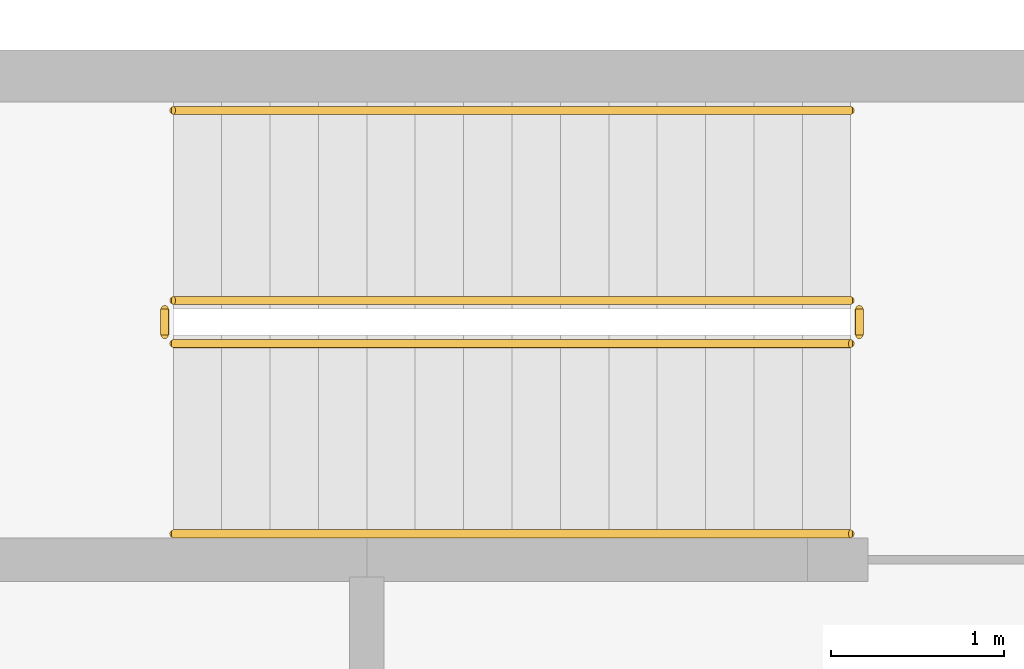
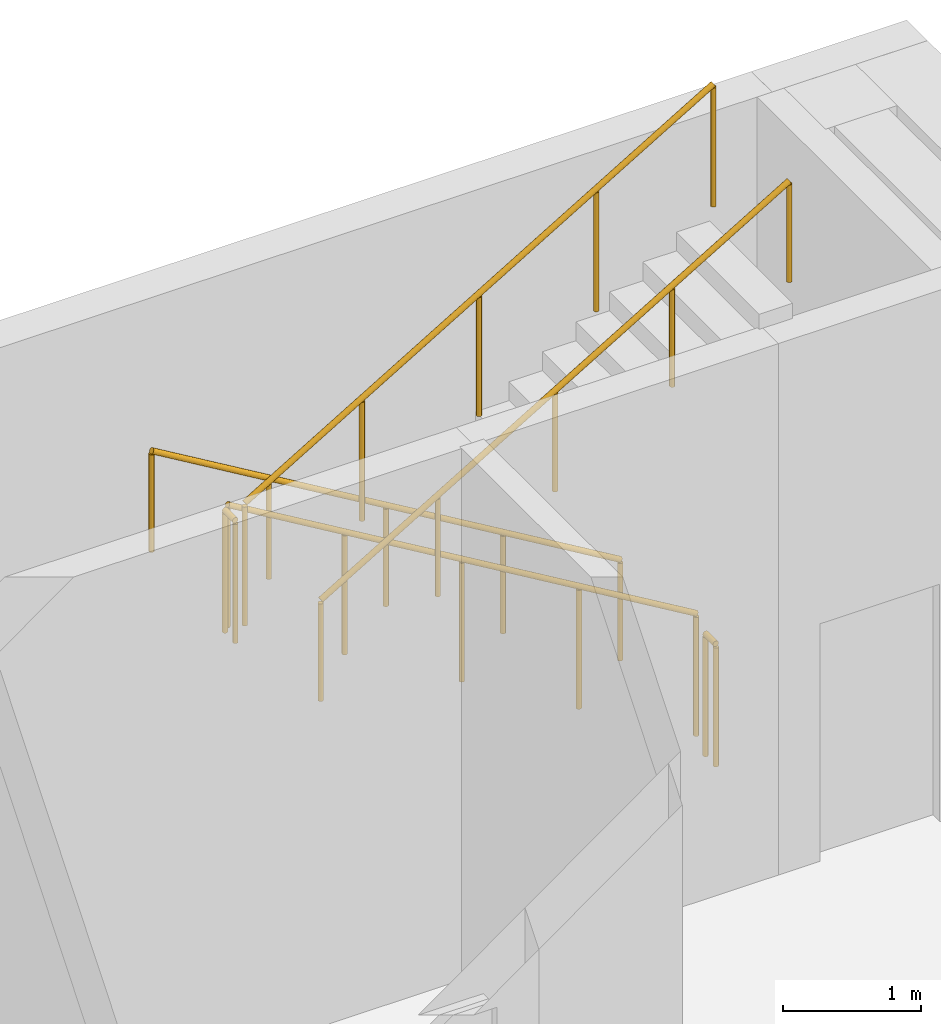
# One storey, part 24 of 25: 6 railings.
"""IFC4 building model written with IfcOpenShell, lengths in metres."""

import ifcopenshell
import ifcopenshell.guid

model = None  # the IFC model being written
_history = None  # IfcOwnerHistory: only IFC2X3 demands one
_inside = {}  # id of a spatial element -> (the spatial element, [elements in it])
_under = {}  # id of a project, library or spatial element -> (it, [spatial elements below it])
_declared = {}  # id of a project -> (the project, [libraries it declares])
_typed = {}  # id of a type object -> (the type object, [elements of that type])
_made_of = {}  # id of a material, layer set ... -> (it, [elements and type objects made of it])


def new_model(schema):
    """Start an empty IFC model of exactly this schema.

    Asked for "IFC4X3", IfcOpenShell would pick the latest addendum, in which some entities
    have other attributes; the version numbers below select the first issue.
    IFC2X3 requires an IfcOwnerHistory on every rooted entity: one is made here for all.
    """
    global model, _history
    if schema == "IFC4X3":
        model = ifcopenshell.file(schema_version=(4, 3, 0, 0))
    else:
        model = ifcopenshell.file(schema=schema)
    _inside.clear()
    _under.clear()
    _declared.clear()
    _typed.clear()
    _made_of.clear()
    _history = None
    if model.schema == "IFC2X3":
        org = make("IfcOrganization", Name="unknown")
        user = make(
            "IfcPersonAndOrganization",
            ThePerson=make("IfcPerson", FamilyName="unknown"),
            TheOrganization=org,
        )
        app = make(
            "IfcApplication",
            ApplicationDeveloper=org,
            Version="unknown",
            ApplicationFullName="unknown",
            ApplicationIdentifier="unknown",
        )
        _history = make(
            "IfcOwnerHistory",
            OwningUser=user,
            OwningApplication=app,
            ChangeAction="ADDED",
            CreationDate=0,
        )
    return model


def make(cls, **values):
    """One entity of the class cls with the attributes given. An attribute that is None is left unset."""
    return model.create_entity(
        cls, **{name: value for name, value in values.items() if value is not None}
    )


def rooted(cls, **values):
    """An entity with a GlobalId (a new one), such as an element, a storey or a relation."""
    return make(cls, GlobalId=ifcopenshell.guid.new(), OwnerHistory=_history, **values)


def si_unit(unit_type, name, prefix=None):
    """IfcSIUnit, for example si_unit("LENGTHUNIT", "METRE", prefix="MILLI")."""
    return make("IfcSIUnit", UnitType=unit_type, Prefix=prefix, Name=name)


def assignment(units):
    """IfcUnitAssignment: the units of a project."""
    return None if units is None else make("IfcUnitAssignment", Units=units)


def point(xyz):
    """IfcCartesianPoint."""
    return None if xyz is None else make("IfcCartesianPoint", Coordinates=xyz)


def direction(xyz):
    """IfcDirection."""
    return None if xyz is None else make("IfcDirection", DirectionRatios=xyz)


def frame(location, z_axis=None, x_axis=None):
    """IfcAxis2Placement3D, a coordinate frame: its origin and axes. An axis left out is left unset."""
    return make(
        "IfcAxis2Placement3D",
        Location=point(location),
        Axis=direction(z_axis),
        RefDirection=direction(x_axis),
    )


def frame_2d(location, x_axis=None):
    """IfcAxis2Placement2D, a coordinate frame in the plane: its origin and x axis."""
    return make(
        "IfcAxis2Placement2D", Location=point(location), RefDirection=direction(x_axis)
    )


def origin():
    """The frame at (0, 0, 0) with its axes left unset."""
    return frame((0.0, 0.0, 0.0))


def origin_2d():
    """The frame at (0, 0) in the plane with its x axis left unset."""
    return frame_2d((0.0, 0.0))


def place(relative_to, where):
    """IfcLocalPlacement: puts the frame where relative to a parent placement (None: the world)."""
    return make(
        "IfcLocalPlacement", PlacementRelTo=relative_to, RelativePlacement=where
    )


def context(
    kind, dimensions, precision=None, world=None, true_north=None, identifier=None
):
    """IfcGeometricRepresentationContext, for example the 3D "Model" context."""
    return make(
        "IfcGeometricRepresentationContext",
        ContextIdentifier=identifier,
        ContextType=kind,
        CoordinateSpaceDimension=dimensions,
        Precision=precision,
        WorldCoordinateSystem=world,
        TrueNorth=true_north,
    )


def subcontext(parent, identifier, kind, view, scale=None):
    """IfcGeometricRepresentationSubContext, for example "Body" below "Model"."""
    return make(
        "IfcGeometricRepresentationSubContext",
        ContextIdentifier=identifier,
        ContextType=kind,
        ParentContext=parent,
        TargetScale=scale,
        TargetView=view,
    )


def project(units=None, contexts=None):
    """IfcProject with its units and contexts."""
    return rooted(
        "IfcProject",
        Name="project",
        RepresentationContexts=contexts,
        UnitsInContext=assignment(units),
    )


def spatial(cls, under=None, at=None, **own):
    """A site, building, storey or space (cls), placed at a placement, below another one or the project."""
    s = rooted(cls, ObjectPlacement=at, **own)
    if under is not None:
        _under.setdefault(under.id(), (under, []))[1].append(s)
    return s


def profile(cls, at=None, kind="AREA", **sizes):
    """A parametric profile (cls). Its sizes go by their IFC names, for example OverallWidth=200.0."""
    return make(cls, ProfileType=kind, Position=at, **sizes)


def circle(**sizes):
    """IfcCircleProfileDef."""
    return profile("IfcCircleProfileDef", **sizes)


def extrude(swept, where, along, depth):
    """IfcExtrudedAreaSolid: the profile swept, set in the frame where, extruded along a direction by depth."""
    return make(
        "IfcExtrudedAreaSolid",
        SweptArea=swept,
        Position=where,
        ExtrudedDirection=direction(along),
        Depth=depth,
    )


def shape(context_of_items, identifier, shape_type, items):
    """IfcShapeRepresentation: the items that make up one representation, for example the "Body"."""
    return make(
        "IfcShapeRepresentation",
        ContextOfItems=context_of_items,
        RepresentationIdentifier=identifier,
        RepresentationType=shape_type,
        Items=items,
    )


def material(Name=None, Category=None):
    """IfcMaterial."""
    return make("IfcMaterial", Name=Name, Category=Category)


def made_of(thing, what):
    """Note that an element or type object is made of a material, layer set ...; save() writes the relation."""
    if what is not None:
        _made_of.setdefault(what.id(), (what, []))[1].append(thing)
    return thing


def type_object(cls, material=None, **own):
    """A type object (cls), such as IfcWallType, which elements share."""
    return made_of(rooted(cls, **own), material)


def element(
    cls,
    number,
    at=None,
    inside=None,
    cuts=None,
    type_object=None,
    material=None,
    context=None,
    identifier="Body",
    shape_type=None,
    held_by="IfcProductDefinitionShape",
    body=None,
    shapes=None,
    **own,
):
    """One element of the class cls, such as IfcWall. Its Tag is "e" and its number.

    at: its placement. inside: the storey or other place that contains it. cuts: it is an
    opening in that element (IfcRelVoidsElement). A single representation is given by context,
    identifier, shape_type and body (its items); several are given by shapes. held_by: the class
    of the entity that holds the representations. save() writes the other relations.
    """
    e = rooted(cls, Tag="e%d" % number, ObjectPlacement=at, **own)
    if body is not None:
        shapes = [shape(context, identifier, shape_type, body)]
    if shapes is not None:
        e.Representation = make(held_by, Representations=shapes)
    if inside is not None:
        _inside.setdefault(inside.id(), (inside, []))[1].append(e)
    if cuts is not None:
        rooted(
            "IfcRelVoidsElement", RelatingBuildingElement=cuts, RelatedOpeningElement=e
        )
    if type_object is not None:
        _typed.setdefault(type_object.id(), (type_object, []))[1].append(e)
    return made_of(e, material)


def aggregate(whole, parts):
    """IfcRelAggregates: a whole, such as a stair, and the parts it consists of."""
    return rooted("IfcRelAggregates", RelatingObject=whole, RelatedObjects=parts)


def save(model, path):
    """Write the relations noted so far, then the file.

    IfcRelAggregates (storeys below a building ...), IfcRelContainedInSpatialStructure (elements
    in a storey), IfcRelDefinesByType, IfcRelAssociatesMaterial and IfcRelDeclares: one each for
    every whole, place, type object, material and project.
    """
    for whole, parts in _under.values():
        aggregate(whole, parts)
    for where, things in _inside.values():
        rooted(
            "IfcRelContainedInSpatialStructure",
            RelatedElements=things,
            RelatingStructure=where,
        )
    for kind, things in _typed.values():
        rooted("IfcRelDefinesByType", RelatedObjects=things, RelatingType=kind)
    for what, things in _made_of.values():
        rooted("IfcRelAssociatesMaterial", RelatedObjects=things, RelatingMaterial=what)
    for by, libraries in _declared.values():
        rooted("IfcRelDeclares", RelatingContext=by, RelatedDefinitions=libraries)
    model.write(path)


model = new_model("IFC4")

# Units and contexts
model_context = context("Model", 3, precision=1e-05, world=origin(), true_north=direction((0.0, 1.0)))
body_context = subcontext(model_context, "Body", "Model", "MODEL_VIEW")
ifc_project = project(units=[si_unit("LENGTHUNIT", "METRE"), si_unit("AREAUNIT", "SQUARE_METRE"), si_unit("VOLUMEUNIT", "CUBIC_METRE"), si_unit("PLANEANGLEUNIT", "RADIAN"), si_unit("MASSUNIT", "GRAM", prefix="KILO")], contexts=[model_context])

# Site, building, storey
site_placement = place(None, origin())
site = spatial("IfcSite", under=ifc_project, at=site_placement, CompositionType="ELEMENT")
building_placement = place(site_placement, origin())
building = spatial("IfcBuilding", under=site, at=building_placement, Name="Girih Gate Residences", CompositionType="ELEMENT")
storey_placement = place(building_placement, frame((0.0, 0.0, 6.0)))
storey = spatial("IfcBuildingStorey", under=building, at=storey_placement, Name="L01", CompositionType="ELEMENT", Elevation=6.0)

# Railings
ifc_material = material(Name="Stainless steel railing", Category="steel")
railing_type_1 = type_object("IfcRailingType", Name="HC Guard 1100", PredefinedType="GUARDRAIL", material=ifc_material)
railing_1_placement = place(storey_placement, frame((87.75, 43.550048828125, 0.166748046875)))
element("IfcRailing", 1, at=railing_1_placement, inside=storey, type_object=railing_type_1, Name="L01 HC-STB stair guard 1", PredefinedType="GUARDRAIL", context=body_context, shape_type="SweptSolid", body=[
    extrude(circle(Radius=0.02392578125, at=origin_2d()), frame((0.0, 0.0, 1.076171875), z_axis=(-0.859296244711, 0.0, 0.511478214419), x_axis=(0.0, -1.0, 0.0)), (0.0, 0.0, 1.0), 4.561767578125),
    extrude(circle(Radius=0.02099609375, at=origin_2d()), origin(), (0.0, 0.0, 1.0), 1.052001953125),
    extrude(circle(Radius=0.02099609375, at=origin_2d()), frame((-0.97998046875, 0.0, 0.583251953125)), (0.0, 0.0, 1.0), 1.052001953125),
    extrude(circle(Radius=0.02099609375, at=origin_2d()), frame((-1.9599609375, 0.0, 1.16650390625)), (0.0, 0.0, 1.0), 1.052001953125),
    extrude(circle(Radius=0.02099609375, at=origin_2d()), frame((-2.93994140625, 0.0, 1.75)), (0.0, 0.0, 1.0), 1.052001953125),
    extrude(circle(Radius=0.02099609375, at=origin_2d()), frame((-3.919921875, 0.0, 2.333251953125)), (0.0, 0.0, 1.0), 1.052001953125),
])
railing_2_placement = place(storey_placement, frame((83.780029296875, 43.5, 2.5)))
element("IfcRailing", 2, at=railing_2_placement, inside=storey, type_object=railing_type_1, Name="L01 HC-STB stair guard 2", PredefinedType="GUARDRAIL", context=body_context, shape_type="SweptSolid", body=[
    extrude(circle(Radius=0.02392578125, at=origin_2d()), frame((0.0, 0.0, 1.076171875), z_axis=(0.0, -1.0, 0.0), x_axis=(1.0, 0.0, 0.0)), (0.0, 0.0, 1.0), 0.14990234375),
    extrude(circle(Radius=0.02099609375, at=origin_2d()), origin(), (0.0, 0.0, 1.0), 1.052001953125),
    extrude(circle(Radius=0.02099609375, at=origin_2d()), frame((0.0, -0.14990234375, 0.0)), (0.0, 0.0, 1.0), 1.052001953125),
])
railing_3_placement = place(storey_placement, frame((83.830078125, 43.300048828125, 2.666748046875)))
element("IfcRailing", 3, at=railing_3_placement, inside=storey, type_object=railing_type_1, Name="L01 HC-STB stair guard 3", PredefinedType="GUARDRAIL", context=body_context, shape_type="SweptSolid", body=[
    extrude(circle(Radius=0.02392578125, at=origin_2d()), frame((0.0, 0.0, 1.076171875), z_axis=(0.859296244711, 0.0, 0.511478214419), x_axis=(0.0, 1.0, 0.0)), (0.0, 0.0, 1.0), 4.561767578125),
    extrude(circle(Radius=0.02099609375, at=origin_2d()), origin(), (0.0, 0.0, 1.0), 1.052001953125),
    extrude(circle(Radius=0.02099609375, at=origin_2d()), frame((0.97998046875, 0.0, 0.583251953125)), (0.0, 0.0, 1.0), 1.052001953125),
    extrude(circle(Radius=0.02099609375, at=origin_2d()), frame((1.9599609375, 0.0, 1.16650390625)), (0.0, 0.0, 1.0), 1.052001953125),
    extrude(circle(Radius=0.02099609375, at=origin_2d()), frame((2.93994140625, 0.0, 1.75)), (0.0, 0.0, 1.0), 1.052001953125),
    extrude(circle(Radius=0.02099609375, at=origin_2d()), frame((3.919921875, 0.0, 2.333251953125)), (0.0, 0.0, 1.0), 1.052001953125),
])
railing_4_placement = place(storey_placement, frame((87.800048828125, 43.5, 0.0)))
element("IfcRailing", 4, at=railing_4_placement, inside=storey, type_object=railing_type_1, Name="L01 HC-STB stair guard 4", PredefinedType="GUARDRAIL", context=body_context, shape_type="SweptSolid", body=[
    extrude(circle(Radius=0.02392578125, at=origin_2d()), frame((0.0, 0.0, 1.076171875), z_axis=(0.0, -1.0, 0.0), x_axis=(1.0, 0.0, 0.0)), (0.0, 0.0, 1.0), 0.14990234375),
    extrude(circle(Radius=0.02099609375, at=origin_2d()), origin(), (0.0, 0.0, 1.0), 1.052001953125),
    extrude(circle(Radius=0.02099609375, at=origin_2d()), frame((0.0, -0.14990234375, 0.0)), (0.0, 0.0, 1.0), 1.052001953125),
])
railing_type_2 = type_object("IfcRailingType", Name="HC Handrail 900", PredefinedType="HANDRAIL", material=ifc_material)
railing_5_placement = place(storey_placement, frame((87.75, 44.64990234375, 0.166748046875)))
element("IfcRailing", 5, at=railing_5_placement, inside=storey, type_object=railing_type_2, Name="L01 HC-STB stair handrail 1", PredefinedType="HANDRAIL", context=body_context, shape_type="SweptSolid", body=[
    extrude(circle(Radius=0.02392578125, at=origin_2d()), frame((0.0, 0.0, 0.8857421875), z_axis=(-0.859296244711, 0.0, 0.511478214419), x_axis=(0.0, -1.0, 0.0)), (0.0, 0.0, 1.0), 4.561767578125),
    extrude(circle(Radius=0.02099609375, at=origin_2d()), origin(), (0.0, 0.0, 1.0), 0.86181640625),
    extrude(circle(Radius=0.02099609375, at=origin_2d()), frame((-0.97998046875, 0.0, 0.583251953125)), (0.0, 0.0, 1.0), 0.86181640625),
    extrude(circle(Radius=0.02099609375, at=origin_2d()), frame((-1.9599609375, 0.0, 1.16650390625)), (0.0, 0.0, 1.0), 0.86181640625),
    extrude(circle(Radius=0.02099609375, at=origin_2d()), frame((-2.93994140625, 0.0, 1.75)), (0.0, 0.0, 1.0), 0.86181640625),
    extrude(circle(Radius=0.02099609375, at=origin_2d()), frame((-3.919921875, 0.0, 2.333251953125)), (0.0, 0.0, 1.0), 0.86181640625),
])
railing_6_placement = place(storey_placement, frame((83.830078125, 42.199951171875, 2.666748046875)))
element("IfcRailing", 6, at=railing_6_placement, inside=storey, type_object=railing_type_2, Name="L01 HC-STB stair handrail 2", PredefinedType="HANDRAIL", context=body_context, shape_type="SweptSolid", body=[
    extrude(circle(Radius=0.02392578125, at=origin_2d()), frame((0.0, 0.0, 0.8857421875), z_axis=(0.859296244711, 0.0, 0.511478214419), x_axis=(0.0, 1.0, 0.0)), (0.0, 0.0, 1.0), 4.561767578125),
    extrude(circle(Radius=0.02099609375, at=origin_2d()), origin(), (0.0, 0.0, 1.0), 0.86181640625),
    extrude(circle(Radius=0.02099609375, at=origin_2d()), frame((0.97998046875, 0.0, 0.583251953125)), (0.0, 0.0, 1.0), 0.86181640625),
    extrude(circle(Radius=0.02099609375, at=origin_2d()), frame((1.9599609375, 0.0, 1.16650390625)), (0.0, 0.0, 1.0), 0.86181640625),
    extrude(circle(Radius=0.02099609375, at=origin_2d()), frame((2.93994140625, 0.0, 1.75)), (0.0, 0.0, 1.0), 0.86181640625),
    extrude(circle(Radius=0.02099609375, at=origin_2d()), frame((3.919921875, 0.0, 2.333251953125)), (0.0, 0.0, 1.0), 0.86181640625),
])

save(model, "model.ifc")
